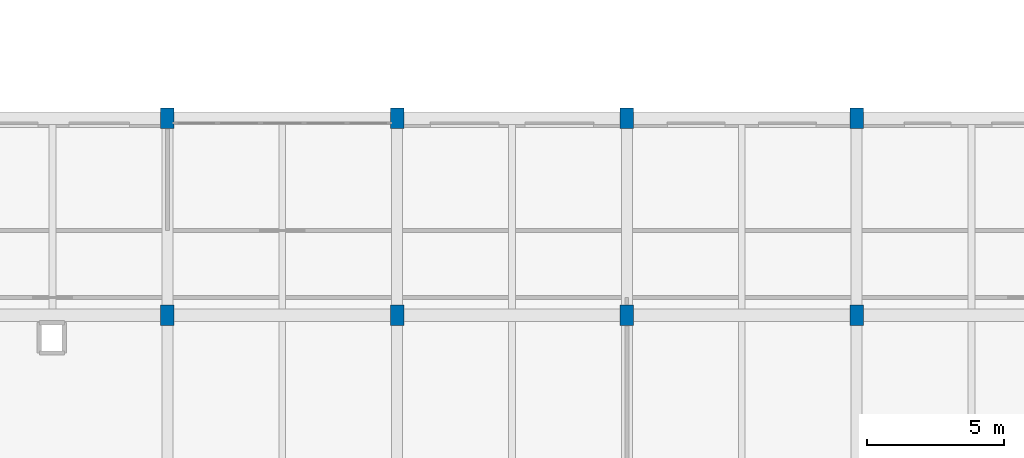
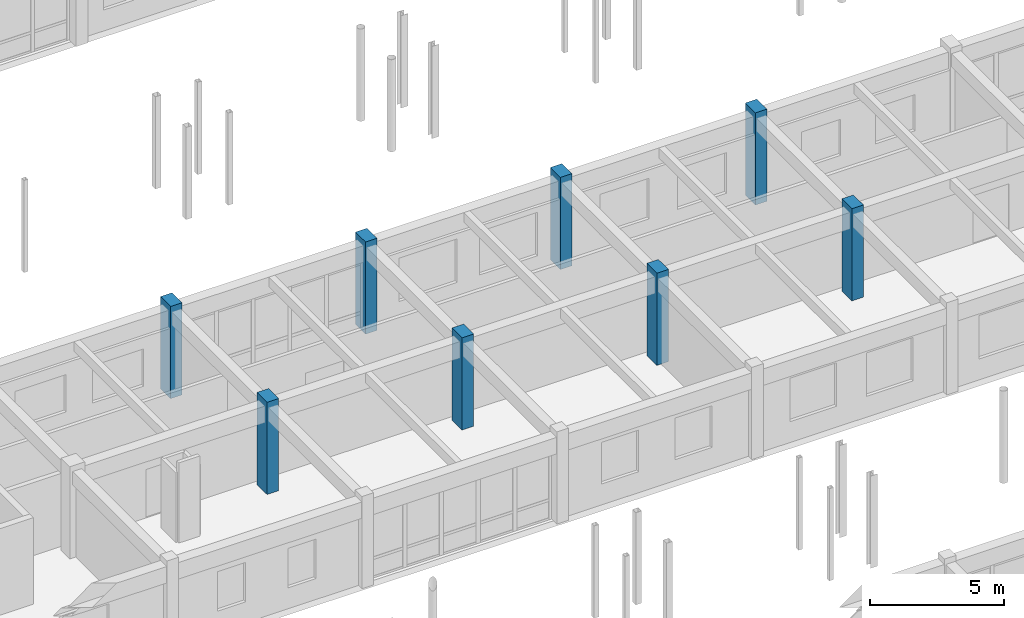
# One storey, part 11 of 90: 8 columns.
"""IFC4 building model written with IfcOpenShell, lengths in metres."""

import ifcopenshell
import ifcopenshell.guid

model = None  # the IFC model being written
_history = None  # IfcOwnerHistory: only IFC2X3 demands one
_inside = {}  # id of a spatial element -> (the spatial element, [elements in it])
_under = {}  # id of a project, library or spatial element -> (it, [spatial elements below it])
_declared = {}  # id of a project -> (the project, [libraries it declares])
_typed = {}  # id of a type object -> (the type object, [elements of that type])
_made_of = {}  # id of a material, layer set ... -> (it, [elements and type objects made of it])


def new_model(schema):
    """Start an empty IFC model of exactly this schema.

    Asked for "IFC4X3", IfcOpenShell would pick the latest addendum, in which some entities
    have other attributes; the version numbers below select the first issue.
    IFC2X3 requires an IfcOwnerHistory on every rooted entity: one is made here for all.
    """
    global model, _history
    if schema == "IFC4X3":
        model = ifcopenshell.file(schema_version=(4, 3, 0, 0))
    else:
        model = ifcopenshell.file(schema=schema)
    _inside.clear()
    _under.clear()
    _declared.clear()
    _typed.clear()
    _made_of.clear()
    _history = None
    if model.schema == "IFC2X3":
        org = make("IfcOrganization", Name="unknown")
        user = make(
            "IfcPersonAndOrganization",
            ThePerson=make("IfcPerson", FamilyName="unknown"),
            TheOrganization=org,
        )
        app = make(
            "IfcApplication",
            ApplicationDeveloper=org,
            Version="unknown",
            ApplicationFullName="unknown",
            ApplicationIdentifier="unknown",
        )
        _history = make(
            "IfcOwnerHistory",
            OwningUser=user,
            OwningApplication=app,
            ChangeAction="ADDED",
            CreationDate=0,
        )
    return model


def make(cls, **values):
    """One entity of the class cls with the attributes given. An attribute that is None is left unset."""
    return model.create_entity(
        cls, **{name: value for name, value in values.items() if value is not None}
    )


def rooted(cls, **values):
    """An entity with a GlobalId (a new one), such as an element, a storey or a relation."""
    return make(cls, GlobalId=ifcopenshell.guid.new(), OwnerHistory=_history, **values)


def si_unit(unit_type, name, prefix=None):
    """IfcSIUnit, for example si_unit("LENGTHUNIT", "METRE", prefix="MILLI")."""
    return make("IfcSIUnit", UnitType=unit_type, Prefix=prefix, Name=name)


def assignment(units):
    """IfcUnitAssignment: the units of a project."""
    return None if units is None else make("IfcUnitAssignment", Units=units)


def point(xyz):
    """IfcCartesianPoint."""
    return None if xyz is None else make("IfcCartesianPoint", Coordinates=xyz)


def direction(xyz):
    """IfcDirection."""
    return None if xyz is None else make("IfcDirection", DirectionRatios=xyz)


def frame(location, z_axis=None, x_axis=None):
    """IfcAxis2Placement3D, a coordinate frame: its origin and axes. An axis left out is left unset."""
    return make(
        "IfcAxis2Placement3D",
        Location=point(location),
        Axis=direction(z_axis),
        RefDirection=direction(x_axis),
    )


def frame_2d(location, x_axis=None):
    """IfcAxis2Placement2D, a coordinate frame in the plane: its origin and x axis."""
    return make(
        "IfcAxis2Placement2D", Location=point(location), RefDirection=direction(x_axis)
    )


def origin():
    """The frame at (0, 0, 0) with its axes left unset."""
    return frame((0.0, 0.0, 0.0))


def origin_2d():
    """The frame at (0, 0) in the plane with its x axis left unset."""
    return frame_2d((0.0, 0.0))


def place(relative_to, where):
    """IfcLocalPlacement: puts the frame where relative to a parent placement (None: the world)."""
    return make(
        "IfcLocalPlacement", PlacementRelTo=relative_to, RelativePlacement=where
    )


def context(
    kind, dimensions, precision=None, world=None, true_north=None, identifier=None
):
    """IfcGeometricRepresentationContext, for example the 3D "Model" context."""
    return make(
        "IfcGeometricRepresentationContext",
        ContextIdentifier=identifier,
        ContextType=kind,
        CoordinateSpaceDimension=dimensions,
        Precision=precision,
        WorldCoordinateSystem=world,
        TrueNorth=true_north,
    )


def subcontext(parent, identifier, kind, view, scale=None):
    """IfcGeometricRepresentationSubContext, for example "Body" below "Model"."""
    return make(
        "IfcGeometricRepresentationSubContext",
        ContextIdentifier=identifier,
        ContextType=kind,
        ParentContext=parent,
        TargetScale=scale,
        TargetView=view,
    )


def project(units=None, contexts=None):
    """IfcProject with its units and contexts."""
    return rooted(
        "IfcProject",
        Name="project",
        RepresentationContexts=contexts,
        UnitsInContext=assignment(units),
    )


def spatial(cls, under=None, at=None, **own):
    """A site, building, storey or space (cls), placed at a placement, below another one or the project."""
    s = rooted(cls, ObjectPlacement=at, **own)
    if under is not None:
        _under.setdefault(under.id(), (under, []))[1].append(s)
    return s


def profile(cls, at=None, kind="AREA", **sizes):
    """A parametric profile (cls). Its sizes go by their IFC names, for example OverallWidth=200.0."""
    return make(cls, ProfileType=kind, Position=at, **sizes)


def rectangle(**sizes):
    """IfcRectangleProfileDef."""
    return profile("IfcRectangleProfileDef", **sizes)


def extrude(swept, where, along, depth):
    """IfcExtrudedAreaSolid: the profile swept, set in the frame where, extruded along a direction by depth."""
    return make(
        "IfcExtrudedAreaSolid",
        SweptArea=swept,
        Position=where,
        ExtrudedDirection=direction(along),
        Depth=depth,
    )


def shape(context_of_items, identifier, shape_type, items):
    """IfcShapeRepresentation: the items that make up one representation, for example the "Body"."""
    return make(
        "IfcShapeRepresentation",
        ContextOfItems=context_of_items,
        RepresentationIdentifier=identifier,
        RepresentationType=shape_type,
        Items=items,
    )


def material(Name=None, Category=None):
    """IfcMaterial."""
    return make("IfcMaterial", Name=Name, Category=Category)


def material_profile(
    of_material, cross_section, Name=None, Category=None, Priority=None
):
    """IfcMaterialProfile: a cross section and its material."""
    return make(
        "IfcMaterialProfile",
        Name=Name,
        Material=of_material,
        Profile=cross_section,
        Priority=Priority,
        Category=Category,
    )


def profile_set(profiles, Name=None, composite=None):
    """IfcMaterialProfileSet."""
    return make(
        "IfcMaterialProfileSet",
        Name=Name,
        MaterialProfiles=profiles,
        CompositeProfile=composite,
    )


def made_of(thing, what):
    """Note that an element or type object is made of a material, layer set ...; save() writes the relation."""
    if what is not None:
        _made_of.setdefault(what.id(), (what, []))[1].append(thing)
    return thing


def type_object(cls, material=None, **own):
    """A type object (cls), such as IfcWallType, which elements share."""
    return made_of(rooted(cls, **own), material)


def element(
    cls,
    number,
    at=None,
    inside=None,
    cuts=None,
    type_object=None,
    material=None,
    context=None,
    identifier="Body",
    shape_type=None,
    held_by="IfcProductDefinitionShape",
    body=None,
    shapes=None,
    **own,
):
    """One element of the class cls, such as IfcWall. Its Tag is "e" and its number.

    at: its placement. inside: the storey or other place that contains it. cuts: it is an
    opening in that element (IfcRelVoidsElement). A single representation is given by context,
    identifier, shape_type and body (its items); several are given by shapes. held_by: the class
    of the entity that holds the representations. save() writes the other relations.
    """
    e = rooted(cls, Tag="e%d" % number, ObjectPlacement=at, **own)
    if body is not None:
        shapes = [shape(context, identifier, shape_type, body)]
    if shapes is not None:
        e.Representation = make(held_by, Representations=shapes)
    if inside is not None:
        _inside.setdefault(inside.id(), (inside, []))[1].append(e)
    if cuts is not None:
        rooted(
            "IfcRelVoidsElement", RelatingBuildingElement=cuts, RelatedOpeningElement=e
        )
    if type_object is not None:
        _typed.setdefault(type_object.id(), (type_object, []))[1].append(e)
    return made_of(e, material)


def aggregate(whole, parts):
    """IfcRelAggregates: a whole, such as a stair, and the parts it consists of."""
    return rooted("IfcRelAggregates", RelatingObject=whole, RelatedObjects=parts)


def save(model, path):
    """Write the relations noted so far, then the file.

    IfcRelAggregates (storeys below a building ...), IfcRelContainedInSpatialStructure (elements
    in a storey), IfcRelDefinesByType, IfcRelAssociatesMaterial and IfcRelDeclares: one each for
    every whole, place, type object, material and project.
    """
    for whole, parts in _under.values():
        aggregate(whole, parts)
    for where, things in _inside.values():
        rooted(
            "IfcRelContainedInSpatialStructure",
            RelatedElements=things,
            RelatingStructure=where,
        )
    for kind, things in _typed.values():
        rooted("IfcRelDefinesByType", RelatedObjects=things, RelatingType=kind)
    for what, things in _made_of.values():
        rooted("IfcRelAssociatesMaterial", RelatedObjects=things, RelatingMaterial=what)
    for by, libraries in _declared.values():
        rooted("IfcRelDeclares", RelatingContext=by, RelatedDefinitions=libraries)
    model.write(path)


model = new_model("IFC4")

# Units and contexts
model_context = context("Model", 3, precision=1e-05, world=origin(), true_north=direction((0.0, 1.0)))
body_context = subcontext(model_context, "Body", "Model", "MODEL_VIEW")
ifc_project = project(units=[si_unit("LENGTHUNIT", "METRE"), si_unit("AREAUNIT", "SQUARE_METRE"), si_unit("VOLUMEUNIT", "CUBIC_METRE"), si_unit("PLANEANGLEUNIT", "RADIAN"), si_unit("MASSUNIT", "GRAM", prefix="KILO")], contexts=[model_context])

# Site, building, storey
site_placement = place(None, origin())
site = spatial("IfcSite", under=ifc_project, at=site_placement, CompositionType="ELEMENT")
building_placement = place(site_placement, origin())
building = spatial("IfcBuilding", under=site, at=building_placement, Name="Malvenik Polytechnic", CompositionType="ELEMENT")
storey_placement = place(building_placement, frame((0.0, 0.0, 9.300048828125)))
storey = spatial("IfcBuildingStorey", under=building, at=storey_placement, Name="L02", CompositionType="ELEMENT", Elevation=9.300048828125)

# Columns
ifc_material = material(Name="Concrete C35/45", Category="concrete")
ifc_material_profile = material_profile(ifc_material, rectangle(XDim=0.5, YDim=0.75, at=origin_2d()), Name="RC COL 750x500")
ifc_profile_set = profile_set([ifc_material_profile], Name="Concrete C35/45")
column_type = type_object("IfcColumnType", Name="STR-COL-C-14", PredefinedType="COLUMN", material=ifc_profile_set)
for number, where, z_axis, x_axis, name in (
    (1, (33.60009765625, 86.39990234375, 0.0), (0.0, 0.0, 1.0), (1.0, 0.0, 0.0), "Column C-14 L02 (33.6,86.4)"),
    (2, (33.60009765625, 93.60009765625, 0.0), (0.0, 0.0, 1.0), (1.0, 0.0, 0.0), "Column C-14 L02 (33.6,93.6)"),
    (3, (42.0, 86.39990234375, 0.0), (0.0, 0.0, 1.0), (1.0, 0.0, 0.0), "Column C-14 L02 (42.0,86.4)"),
    (4, (42.0, 93.60009765625, 0.0), (0.0, 0.0, 1.0), (1.0, 0.0, 0.0), "Column C-14 L02 (42.0,93.6)"),
    (5, (50.39990234375, 86.39990234375, 0.0), (0.0, 0.0, 1.0), (1.0, 0.0, 0.0), "Column C-14 L02 (50.4,86.4)"),
    (6, (50.39990234375, 93.60009765625, 0.0), (0.0, 0.0, 1.0), (1.0, 0.0, 0.0), "Column C-14 L02 (50.4,93.6)"),
    (7, (58.800048828125, 86.39990234375, 0.0), (0.0, 0.0, 1.0), (1.0, 0.0, 0.0), "Column C-14 L02 (58.8,86.4)"),
    (8, (58.800048828125, 93.60009765625, 0.0), (0.0, 0.0, 1.0), (1.0, 0.0, 0.0), "Column C-14 L02 (58.8,93.6)"),
):
    element("IfcColumn", number, at=place(storey_placement, frame(where, z_axis=z_axis, x_axis=x_axis)), inside=storey, type_object=column_type, Name=name, PredefinedType="COLUMN", context=body_context, shape_type="SweptSolid", body=[
        extrude(rectangle(XDim=0.5, YDim=0.75, at=origin_2d()), origin(), (0.0, 0.0, 1.0), 4.199951171875),
    ])

save(model, "model.ifc")
